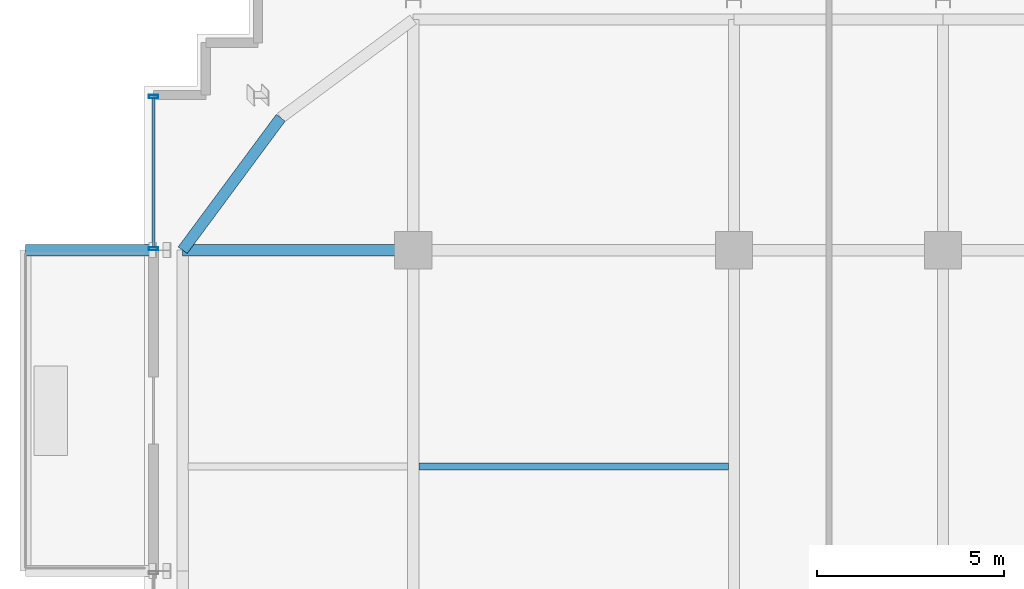
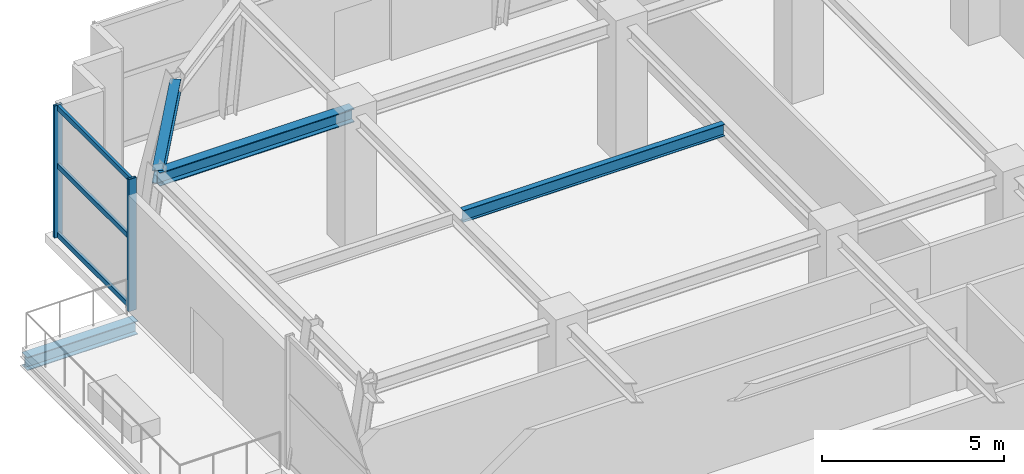
# One storey, part 14 of 28: 5 members, 4 beams, 1 element without a shape of its own.
"""IFC4 building model written with IfcOpenShell, lengths in metres."""

from ifc_helpers import new_model, si_unit, direction, frame, origin, origin_2d, place, context, subcontext, project, spatial, hollow_rectangle, i_section, extrude, source, transform, mapped, material, material_profile, profile_set, type_object, element, aggregate, save


model = new_model("IFC4")

# Units and contexts
model_context = context("Model", 3, precision=1e-05, world=origin(), true_north=direction((0.0, 1.0)))
body_context = subcontext(model_context, "Body", "Model", "MODEL_VIEW")
ifc_project = project(units=[si_unit("LENGTHUNIT", "METRE"), si_unit("AREAUNIT", "SQUARE_METRE"), si_unit("VOLUMEUNIT", "CUBIC_METRE"), si_unit("PLANEANGLEUNIT", "RADIAN"), si_unit("MASSUNIT", "GRAM", prefix="KILO")], contexts=[model_context])

# Site, building, storey
site_placement = place(None, origin())
site = spatial("IfcSite", under=ifc_project, at=site_placement, CompositionType="ELEMENT")
building_placement = place(site_placement, origin())
building = spatial("IfcBuilding", under=site, at=building_placement, Name="Nahalor Promenade Grand Hotel", CompositionType="ELEMENT")
storey_placement = place(building_placement, frame((0.0, 0.0, 256.699951171875)))
storey = spatial("IfcBuildingStorey", under=building, at=storey_placement, Name="L66", CompositionType="ELEMENT", Elevation=256.699951171875)

# Beams
ifc_material_1 = material(Name="Steel S355JR", Category="steel")
ifc_material_profile_1 = material_profile(ifc_material_1, i_section(OverallWidth=0.3, OverallDepth=0.45, WebThickness=0.014, FlangeThickness=0.026, at=origin_2d()), Name="HEB 450")
ifc_profile_set_1 = profile_set([ifc_material_profile_1], Name="Steel S355JR")
beam_type_1 = type_object("IfcBeamType", Name="Beam-Outrigger-HEB450", PredefinedType="BEAM", material=ifc_profile_set_1)
shared_shape_1 = source(origin(), body_context, "Body", "SweptSolid", [
    extrude(i_section(OverallWidth=0.3, OverallDepth=0.45, WebThickness=0.014, FlangeThickness=0.026, at=origin_2d()), origin(), (0.0, 0.0, 1.0), 3.510009765625),
])
beam_1_placement = place(storey_placement, frame((-27.389892578125, 17.0, -0.5048828125), z_axis=(1.0, 0.0, 0.0), x_axis=(0.0, 1.0, 0.0)))
element("IfcBeam", 1, at=beam_1_placement, inside=storey, type_object=beam_type_1, Name="BM-L66-BC-02-2", PredefinedType="BEAM", context=body_context, shape_type="MappedRepresentation", body=[
    mapped(shared_shape_1, transform((0.0, 0.0, 0.0), scale=1.0)),
])
ifc_material_profile_2 = material_profile(ifc_material_1, i_section(OverallWidth=0.18, OverallDepth=0.4, WebThickness=0.0086, FlangeThickness=0.0135, at=origin_2d()), Name="IPE 400")
ifc_profile_set_2 = profile_set([ifc_material_profile_2], Name="Steel S355JR")
beam_type_2 = type_object("IfcBeamType", Name="Beam-Joist-IPE400", PredefinedType="JOIST", material=ifc_profile_set_2)
shared_shape_2 = source(origin(), body_context, "Body", "SweptSolid", [
    extrude(i_section(OverallWidth=0.18, OverallDepth=0.4, WebThickness=0.0086, FlangeThickness=0.0135, at=origin_2d()), origin(), (0.0, 0.0, 1.0), 8.300048828125),
])
beam_2_placement = place(storey_placement, frame((-16.85009765625, 11.199951171875, 4.239990234375), z_axis=(1.0, 0.0, 0.0), x_axis=(0.0, 1.0, 0.0)))
element("IfcBeam", 2, at=beam_2_placement, inside=storey, type_object=beam_type_2, Name="BM-L66-JSW-1-1", PredefinedType="JOIST", context=body_context, shape_type="MappedRepresentation", body=[
    mapped(shared_shape_2, transform((0.0, 0.0, 0.0), scale=1.0)),
])
ifc_material_profile_3 = material_profile(ifc_material_1, i_section(OverallWidth=0.3, OverallDepth=0.45, WebThickness=0.014, FlangeThickness=0.026, at=origin_2d()), Name="HEB 450")
ifc_profile_set_3 = profile_set([ifc_material_profile_3], Name="Steel S355JR")
beam_type_3 = type_object("IfcBeamType", Name="Beam-Girder-HEB450", PredefinedType="BEAM", material=ifc_profile_set_3)
shared_shape_3 = source(origin(), body_context, "Body", "SweptSolid", [
    extrude(i_section(OverallWidth=0.3, OverallDepth=0.45, WebThickness=0.014, FlangeThickness=0.026, at=origin_2d()), origin(), (0.0, 0.0, 1.0), 6.179931640625),
])
beam_3_placement = place(storey_placement, frame((-23.179931640625, 17.0, 4.215087890625), z_axis=(1.0, 0.0, 0.0), x_axis=(0.0, 1.0, 0.0)))
element("IfcBeam", 3, at=beam_3_placement, inside=storey, type_object=beam_type_3, Name="BM-L66-GX-3-0", PredefinedType="BEAM", context=body_context, shape_type="MappedRepresentation", body=[
    mapped(shared_shape_3, transform((0.0, 0.0, 0.0), scale=1.0)),
])
ifc_material_profile_4 = material_profile(ifc_material_1, i_section(OverallWidth=0.3, OverallDepth=0.45, WebThickness=0.014, FlangeThickness=0.026, at=origin_2d()), Name="HEB 450")
ifc_profile_set_4 = profile_set([ifc_material_profile_4], Name="Steel S355JR")
beam_type_4 = type_object("IfcBeamType", Name="Beam-Spandrel-HEB450", PredefinedType="SPANDREL", material=ifc_profile_set_4)
shared_shape_4 = source(origin(), body_context, "Body", "SweptSolid", [
    extrude(i_section(OverallWidth=0.3, OverallDepth=0.45, WebThickness=0.014, FlangeThickness=0.026, at=origin_2d()), origin(), (0.0, 0.0, 1.0), 4.41796875),
])
beam_4_placement = place(storey_placement, frame((-20.550048828125, 20.550048828125, 4.215087890625), z_axis=(-0.595259267073, -0.803533698711, 0.0), x_axis=(0.803533698711, -0.595259267073, 0.0)))
element("IfcBeam", 4, at=beam_4_placement, inside=storey, type_object=beam_type_4, Name="BM-L66-SPC-NW-2", PredefinedType="SPANDREL", context=body_context, shape_type="MappedRepresentation", body=[
    mapped(shared_shape_4, transform((0.0, 0.0, 0.0), scale=1.0)),
])

# Curtain wall, members
ifc_material_2 = material(Name="Anodised Bronze Aluminium EN AW-6063 T6", Category="aluminium")
curtain_wall_type = type_object("IfcCurtainWallType", Name="CW5 Sky-Lobby & Observation Panoramic Curtain Wall", PredefinedType="USERDEFINED", material=ifc_material_2)
curtain_wall_placement = place(storey_placement, origin())
curtain_wall = element("IfcCurtainWall", 5, at=curtain_wall_placement, inside=storey, type_object=curtain_wall_type, Name="L66 Curtain Wall CW-L66-W-3", ObjectType="UNITISED_CURTAIN_WALL", PredefinedType="USERDEFINED")
ifc_material_profile_5 = material_profile(ifc_material_2, hollow_rectangle(XDim=0.085, YDim=0.25, WallThickness=0.006, at=origin_2d()), Name="CWM 85x250x6")
ifc_profile_set_5 = profile_set([ifc_material_profile_5], Name="Anodised Bronze Aluminium EN AW-6063 T6")
member_type_1 = type_object("IfcMemberType", Name="CWM5 Panoramic Deep Mullion 85x250", PredefinedType="MULLION", material=ifc_profile_set_5)
shared_shape_5 = source(origin(), body_context, "Body", "SweptSolid", [
    extrude(hollow_rectangle(XDim=0.085, YDim=0.25, WallThickness=0.006, at=origin_2d()), origin(), (0.0, 0.0, 1.0), 4.43994140625),
])
member_1_placement = place(storey_placement, frame((-23.9599609375, 17.04248046875, 0.0), z_axis=(0.0, 0.0, 1.0), x_axis=(0.0, 1.0, 0.0)))
member_1 = element("IfcMember", 6, at=member_1_placement, type_object=member_type_1, Name="CW-L66-W-3 Mullion 0", PredefinedType="MULLION", context=body_context, shape_type="MappedRepresentation", body=[
    mapped(shared_shape_5, transform((0.0, 0.0, 0.0), scale=1.0)),
])
member_2_placement = place(storey_placement, frame((-23.9599609375, 21.117431640625, 0.0), z_axis=(0.0, 0.0, 1.0), x_axis=(0.0, 1.0, 0.0)))
member_2 = element("IfcMember", 7, at=member_2_placement, type_object=member_type_1, Name="CW-L66-W-3 Mullion 1", PredefinedType="MULLION", context=body_context, shape_type="MappedRepresentation", body=[
    mapped(shared_shape_5, transform((0.0, 0.0, 0.0), scale=1.0)),
])
ifc_material_profile_6 = material_profile(ifc_material_2, hollow_rectangle(XDim=0.085, YDim=0.17, WallThickness=0.005, at=origin_2d()), Name="CWT 85x170x5")
ifc_profile_set_6 = profile_set([ifc_material_profile_6], Name="Anodised Bronze Aluminium EN AW-6063 T6")
member_type_2 = type_object("IfcMemberType", Name="CWT5 Panoramic Transom 85x170", PredefinedType="USERDEFINED", material=ifc_profile_set_6)
shared_shape_6 = source(origin(), body_context, "Body", "SweptSolid", [
    extrude(hollow_rectangle(XDim=0.085, YDim=0.17, WallThickness=0.005, at=origin_2d()), origin(), (0.0, 0.0, 1.0), 3.989990234375),
])
member_3_placement = place(storey_placement, frame((-23.9599609375, 17.0849609375, 0.0849609375), z_axis=(0.0, 1.0, 0.0), x_axis=(-1.0, 0.0, 0.0)))
member_3 = element("IfcMember", 8, at=member_3_placement, type_object=member_type_2, Name="CW-L66-W-3 Transom 0-0", ObjectType="TRANSOM", PredefinedType="USERDEFINED", context=body_context, shape_type="MappedRepresentation", body=[
    mapped(shared_shape_6, transform((0.0, 0.0, 0.0), scale=1.0)),
])
member_4_placement = place(storey_placement, frame((-23.9599609375, 17.0849609375, 2.400146484375), z_axis=(0.0, 1.0, 0.0), x_axis=(-1.0, 0.0, 0.0)))
member_4 = element("IfcMember", 9, at=member_4_placement, type_object=member_type_2, Name="CW-L66-W-3 Transom 0-1", ObjectType="TRANSOM", PredefinedType="USERDEFINED", context=body_context, shape_type="MappedRepresentation", body=[
    mapped(shared_shape_6, transform((0.0, 0.0, 0.0), scale=1.0)),
])
member_5_placement = place(storey_placement, frame((-23.9599609375, 17.0849609375, 4.35498046875), z_axis=(0.0, 1.0, 0.0), x_axis=(-1.0, 0.0, 0.0)))
member_5 = element("IfcMember", 10, at=member_5_placement, type_object=member_type_2, Name="CW-L66-W-3 Transom 0-2", ObjectType="TRANSOM", PredefinedType="USERDEFINED", context=body_context, shape_type="MappedRepresentation", body=[
    mapped(shared_shape_6, transform((0.0, 0.0, 0.0), scale=1.0)),
])
aggregate(curtain_wall, [member_1, member_2, member_3, member_4, member_5])

save(model, "model.ifc")
